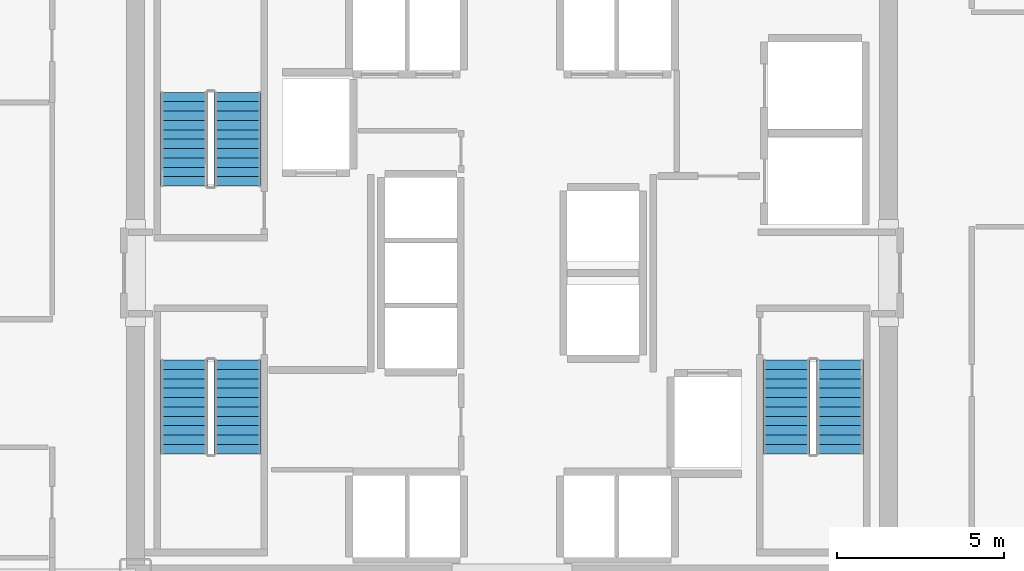
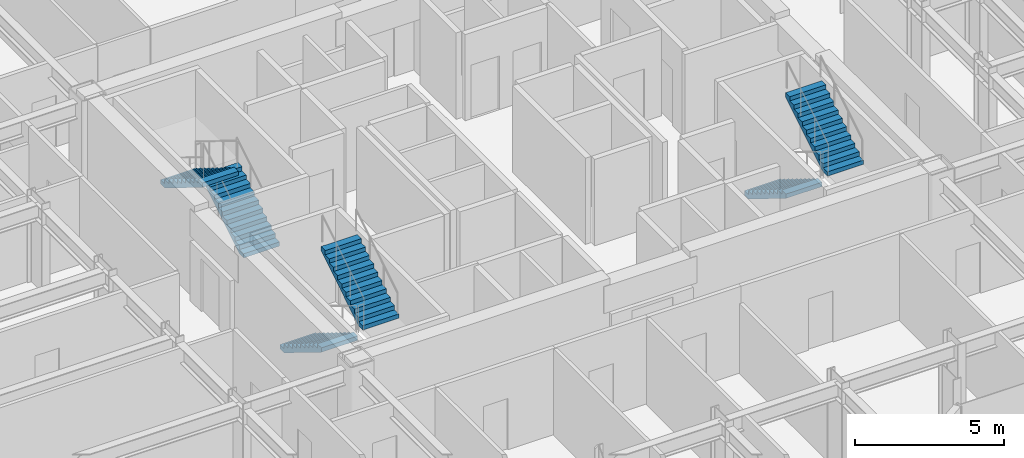
# One storey, part 25 of 26: 6 stair flights, 3 elements without a shape of their own.
"""IFC4 building model written with IfcOpenShell, lengths in metres."""

from ifc_helpers import new_model, si_unit, direction, frame, origin, place, context, subcontext, project, spatial, polyline, outline, extrude, source, transform, mapped, material, type_object, element, aggregate, save


model = new_model("IFC4")

# Units and contexts
model_context = context("Model", 3, precision=1e-05, world=origin(), true_north=direction((0.0, 1.0)))
body_context = subcontext(model_context, "Body", "Model", "MODEL_VIEW")
ifc_project = project(units=[si_unit("LENGTHUNIT", "METRE"), si_unit("AREAUNIT", "SQUARE_METRE"), si_unit("VOLUMEUNIT", "CUBIC_METRE"), si_unit("PLANEANGLEUNIT", "RADIAN"), si_unit("MASSUNIT", "GRAM", prefix="KILO")], contexts=[model_context])

# Site, building, storey
site_placement = place(None, origin())
site = spatial("IfcSite", under=ifc_project, at=site_placement, CompositionType="ELEMENT")
building_placement = place(site_placement, origin())
building = spatial("IfcBuilding", under=site, at=building_placement, Name="Nefas-Gora Pilgrimage Tower", CompositionType="ELEMENT")
storey_placement = place(building_placement, frame((0.0, 0.0, 117.39990234375)))
storey = spatial("IfcBuildingStorey", under=building, at=storey_placement, Name="L28", CompositionType="ELEMENT", Elevation=117.39990234375)

# Stair, stair flights
ifc_material = material(Name="Concrete C45/55", Category="concrete")
stair_type = type_object("IfcStairType", Name="STR-1400-R1727", PredefinedType="HALF_TURN_STAIR", material=ifc_material)
stair_1_placement = place(storey_placement, origin())
stair_1 = element("IfcStair", 1, at=stair_1_placement, inside=storey, type_object=stair_type, Name="L28 Pressurised Tower Exit Stair ST-01", PredefinedType="HALF_TURN_STAIR")
stair_flight_type = type_object("IfcStairFlightType", Name="STF-1400-R1727", PredefinedType="STRAIGHT", material=ifc_material)
shared_shape = source(origin(), body_context, "Body", "SweptSolid", [
    extrude(outline(polyline([(0.0, 0.0), (0.0, 0.172607421875), (0.280029296875, 0.172607421875), (0.280029296875, 0.345458984375), (0.56005859375, 0.345458984375), (0.56005859375, 0.51806640625), (0.840087890625, 0.51806640625), (0.840087890625, 0.69091796875), (1.1201171875, 0.69091796875), (1.1201171875, 0.863525390625), (1.39990234375, 0.863525390625), (1.39990234375, 1.036376953125), (1.679931640625, 1.036376953125), (1.679931640625, 1.208984375), (1.9599609375, 1.208984375), (1.9599609375, 1.3818359375), (2.239990234375, 1.3818359375), (2.239990234375, 1.554443359375), (2.52001953125, 1.554443359375), (2.52001953125, 1.727294921875), (2.800048828125, 1.727294921875), (2.800048828125, 1.89990234375), (2.800048828125, 1.551025390625), (0.285400390625, 0.0), (0.0, 0.0)])), frame((0.0, 0.699951171875, 0.0), z_axis=(0.0, -1.0, 0.0), x_axis=(1.0, 0.0, 0.0)), (0.0, 0.0, 1.0), 1.39990234375),
])
stair_flight_1_placement = place(storey_placement, frame((-8.199951171875, 2.60009765625, 0.0), z_axis=(0.0, 0.0, 1.0), x_axis=(0.0, 1.0, 0.0)))
stair_flight_1 = element("IfcStairFlight", 2, at=stair_flight_1_placement, type_object=stair_flight_type, Name="ST-01 flight 1", NumberOfRisers=11, NumberOfTreads=10, PredefinedType="STRAIGHT", RiserHeight=0.172727273, TreadLength=0.28, context=body_context, shape_type="MappedRepresentation", body=[
    mapped(shared_shape, transform((0.0, 0.0, 0.0), x_axis=(1.0, 0.0, 0.0), y_axis=(0.0, 1.0, 0.0), z_axis=(0.0, 0.0, 1.0), scale=1.0)),
])
stair_flight_2_placement = place(storey_placement, frame((-9.800048828125, 5.39990234375, 1.900146484375), z_axis=(0.0, 0.0, 1.0), x_axis=(0.0, -1.0, 0.0)))
stair_flight_2 = element("IfcStairFlight", 3, at=stair_flight_2_placement, type_object=stair_flight_type, Name="ST-01 flight 2", NumberOfRisers=11, NumberOfTreads=10, PredefinedType="STRAIGHT", RiserHeight=0.172727273, TreadLength=0.28, context=body_context, shape_type="MappedRepresentation", body=[
    mapped(shared_shape, transform((0.0, 0.0, 0.0), x_axis=(1.0, 0.0, 0.0), y_axis=(0.0, 1.0, 0.0), z_axis=(0.0, 0.0, 1.0), scale=1.0)),
])
aggregate(stair_1, [stair_flight_1, stair_flight_2])

stair_2_placement = place(storey_placement, origin())
stair_2 = element("IfcStair", 4, at=stair_2_placement, inside=storey, type_object=stair_type, Name="L28 Pressurised Tower Exit Stair ST-02", PredefinedType="HALF_TURN_STAIR")
stair_flight_3_placement = place(storey_placement, frame((8.199951171875, -2.60009765625, 0.0), z_axis=(0.0, 0.0, 1.0), x_axis=(0.0, -1.0, 0.0)))
stair_flight_3 = element("IfcStairFlight", 5, at=stair_flight_3_placement, type_object=stair_flight_type, Name="ST-02 flight 1", NumberOfRisers=11, NumberOfTreads=10, PredefinedType="STRAIGHT", RiserHeight=0.172727273, TreadLength=0.28, context=body_context, shape_type="MappedRepresentation", body=[
    mapped(shared_shape, transform((0.0, 0.0, 0.0), x_axis=(1.0, 0.0, 0.0), y_axis=(0.0, 1.0, 0.0), z_axis=(0.0, 0.0, 1.0), scale=1.0)),
])
stair_flight_4_placement = place(storey_placement, frame((9.800048828125, -5.39990234375, 1.900146484375), z_axis=(0.0, 0.0, 1.0), x_axis=(0.0, 1.0, 0.0)))
stair_flight_4 = element("IfcStairFlight", 6, at=stair_flight_4_placement, type_object=stair_flight_type, Name="ST-02 flight 2", NumberOfRisers=11, NumberOfTreads=10, PredefinedType="STRAIGHT", RiserHeight=0.172727273, TreadLength=0.28, context=body_context, shape_type="MappedRepresentation", body=[
    mapped(shared_shape, transform((0.0, 0.0, 0.0), x_axis=(1.0, 0.0, 0.0), y_axis=(0.0, 1.0, 0.0), z_axis=(0.0, 0.0, 1.0), scale=1.0)),
])
aggregate(stair_2, [stair_flight_3, stair_flight_4])

stair_3_placement = place(storey_placement, origin())
stair_3 = element("IfcStair", 7, at=stair_3_placement, inside=storey, type_object=stair_type, Name="L28 Pressurised Tower Exit Stair ST-03", PredefinedType="HALF_TURN_STAIR")
stair_flight_5_placement = place(storey_placement, frame((-9.800048828125, -2.60009765625, 0.0), z_axis=(0.0, 0.0, 1.0), x_axis=(0.0, -1.0, 0.0)))
stair_flight_5 = element("IfcStairFlight", 8, at=stair_flight_5_placement, type_object=stair_flight_type, Name="ST-03 flight 1", NumberOfRisers=11, NumberOfTreads=10, PredefinedType="STRAIGHT", RiserHeight=0.172727273, TreadLength=0.28, context=body_context, shape_type="MappedRepresentation", body=[
    mapped(shared_shape, transform((0.0, 0.0, 0.0), x_axis=(1.0, 0.0, 0.0), y_axis=(0.0, 1.0, 0.0), z_axis=(0.0, 0.0, 1.0), scale=1.0)),
])
stair_flight_6_placement = place(storey_placement, frame((-8.199951171875, -5.39990234375, 1.900146484375), z_axis=(0.0, 0.0, 1.0), x_axis=(0.0, 1.0, 0.0)))
stair_flight_6 = element("IfcStairFlight", 9, at=stair_flight_6_placement, type_object=stair_flight_type, Name="ST-03 flight 2", NumberOfRisers=11, NumberOfTreads=10, PredefinedType="STRAIGHT", RiserHeight=0.172727273, TreadLength=0.28, context=body_context, shape_type="MappedRepresentation", body=[
    mapped(shared_shape, transform((0.0, 0.0, 0.0), x_axis=(1.0, 0.0, 0.0), y_axis=(0.0, 1.0, 0.0), z_axis=(0.0, 0.0, 1.0), scale=1.0)),
])
aggregate(stair_3, [stair_flight_5, stair_flight_6])

save(model, "model.ifc")
